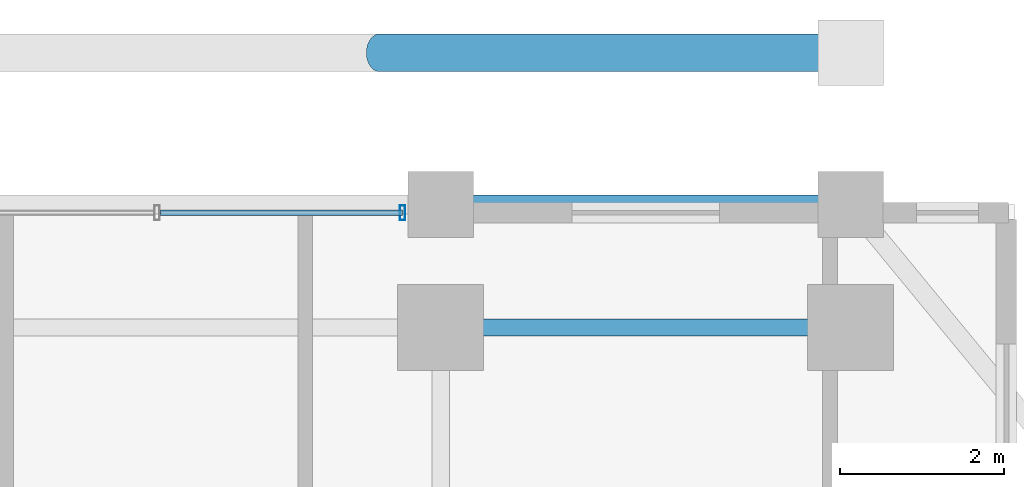
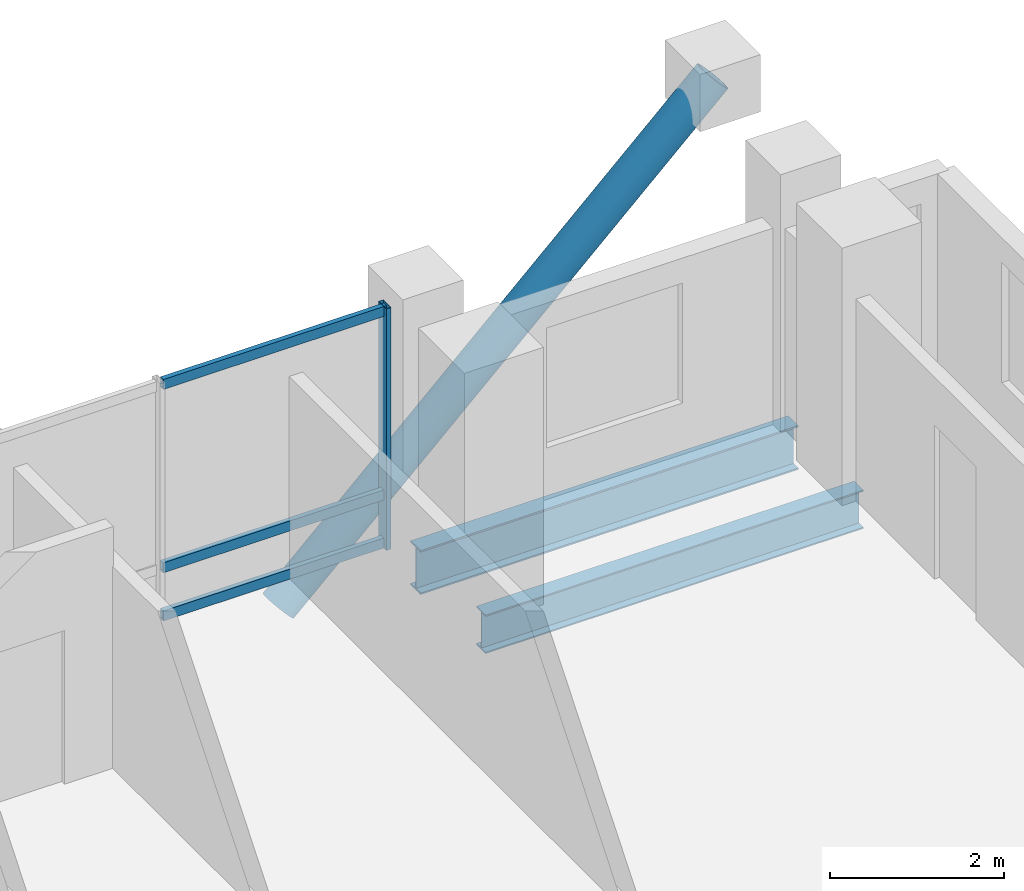
# One storey, part 16 of 23: 5 members, 2 beams, 1 element without a shape of its own.
"""IFC4 building model written with IfcOpenShell, lengths in metres."""

from ifc_helpers import new_model, si_unit, direction, frame, origin, origin_2d, place, context, subcontext, project, spatial, hollow_rectangle, hollow_circle, i_section, extrude, material, layer, layer_set, material_profile, profile_set, type_object, element, aggregate, save


model = new_model("IFC4")

# Units and contexts
model_context = context("Model", 3, precision=1e-05, world=origin(), true_north=direction((0.0, 1.0)))
body_context = subcontext(model_context, "Body", "Model", "MODEL_VIEW")
ifc_project = project(units=[si_unit("LENGTHUNIT", "METRE"), si_unit("AREAUNIT", "SQUARE_METRE"), si_unit("VOLUMEUNIT", "CUBIC_METRE"), si_unit("PLANEANGLEUNIT", "RADIAN"), si_unit("MASSUNIT", "GRAM", prefix="KILO")], contexts=[model_context])

# Site, building, storey
site_placement = place(None, origin())
site = spatial("IfcSite", under=ifc_project, at=site_placement, CompositionType="ELEMENT")
building_placement = place(site_placement, origin())
building = spatial("IfcBuilding", under=site, at=building_placement, Name="Barlavira Tower and Art Museum", CompositionType="ELEMENT")
storey_placement = place(building_placement, frame((0.0, 0.0, 205.199951171875)))
storey = spatial("IfcBuildingStorey", under=building, at=storey_placement, Name="L53", CompositionType="ELEMENT", Elevation=205.199951171875)

# Curtain wall, members
ifc_material_1 = material(Name="Low-iron coastal laminated glass", Category="glass")
ifc_layer = layer(ifc_material_1, 0.199951171875, Name="Low-iron coastal laminated glass")
ifc_layer_set = layer_set([ifc_layer], Name="Low-iron coastal laminated glass")
curtain_wall_type = type_object("IfcCurtainWallType", Name="Pale-Metal Unitised Curtain Wall Zone 3", PredefinedType="NOTDEFINED", material=ifc_layer_set)
curtain_wall_placement = place(storey_placement, origin())
curtain_wall = element("IfcCurtainWall", 1, at=curtain_wall_placement, inside=storey, type_object=curtain_wall_type, Name="L53 Curtain Wall CW3-L53-N-B3", PredefinedType="NOTDEFINED")
ifc_material_2 = material(Name="Pale anodised aluminium", Category="aluminium")
ifc_material_profile_1 = material_profile(ifc_material_2, hollow_rectangle(XDim=0.06494140625, YDim=0.179931640625, WallThickness=0.00390625, at=origin_2d()), Name="ALU-MULL 65x180x4")
ifc_profile_set_1 = profile_set([ifc_material_profile_1], Name="Pale anodised aluminium")
member_type_1 = type_object("IfcMemberType", Name="Curtain Wall Pale-Metal Mullion 65x180", PredefinedType="MULLION", material=ifc_profile_set_1)
member_1_placement = place(storey_placement, frame((6.034912109375, 21.39990234375, 0.0), z_axis=(0.0, 0.0, 1.0), x_axis=(-1.0, 0.0, 0.0)))
member_1 = element("IfcMember", 2, at=member_1_placement, type_object=member_type_1, Name="CW3-L53-N-B3 Mullion 0", PredefinedType="MULLION", context=body_context, shape_type="SweptSolid", body=[
    extrude(hollow_rectangle(XDim=0.06494140625, YDim=0.179931640625, WallThickness=0.00390625, at=origin_2d()), origin(), (0.0, 0.0, 1.0), 3.380126953125),
])
ifc_material_profile_2 = material_profile(ifc_material_2, hollow_rectangle(XDim=0.06494140625, YDim=0.139892578125, WallThickness=0.00390625, at=origin_2d()), Name="ALU-TRAN 65x140x4")
ifc_profile_set_2 = profile_set([ifc_material_profile_2], Name="Pale anodised aluminium")
member_type_2 = type_object("IfcMemberType", Name="Curtain Wall Pale-Metal Transom 65x140", PredefinedType="USERDEFINED", material=ifc_profile_set_2)
member_2_placement = place(storey_placement, frame((6.034912109375, 21.39990234375, 0.070068359375), z_axis=(-1.0, 0.0, 0.0), x_axis=(0.0, -1.0, 0.0)))
member_2 = element("IfcMember", 3, at=member_2_placement, type_object=member_type_2, Name="CW3-L53-N-B3 Transom 0.1", ObjectType="TRANSOM", PredefinedType="USERDEFINED", context=body_context, shape_type="SweptSolid", body=[
    extrude(hollow_rectangle(XDim=0.06494140625, YDim=0.139892578125, WallThickness=0.00390625, at=origin_2d()), origin(), (0.0, 0.0, 1.0), 2.949951171875),
])
member_3_placement = place(storey_placement, frame((6.034912109375, 21.39990234375, 0.744140625), z_axis=(-1.0, 0.0, 0.0), x_axis=(0.0, -1.0, 0.0)))
member_3 = element("IfcMember", 4, at=member_3_placement, type_object=member_type_2, Name="CW3-L53-N-B3 Transom 0.2", ObjectType="TRANSOM", PredefinedType="USERDEFINED", context=body_context, shape_type="SweptSolid", body=[
    extrude(hollow_rectangle(XDim=0.06494140625, YDim=0.139892578125, WallThickness=0.00390625, at=origin_2d()), origin(), (0.0, 0.0, 1.0), 2.949951171875),
])
member_4_placement = place(storey_placement, frame((6.034912109375, 21.39990234375, 3.31005859375), z_axis=(-1.0, 0.0, 0.0), x_axis=(0.0, -1.0, 0.0)))
member_4 = element("IfcMember", 5, at=member_4_placement, type_object=member_type_2, Name="CW3-L53-N-B3 Transom 0.3", ObjectType="TRANSOM", PredefinedType="USERDEFINED", context=body_context, shape_type="SweptSolid", body=[
    extrude(hollow_rectangle(XDim=0.06494140625, YDim=0.139892578125, WallThickness=0.00390625, at=origin_2d()), origin(), (0.0, 0.0, 1.0), 2.949951171875),
])
aggregate(curtain_wall, [member_1, member_2, member_3, member_4])

# Member
ifc_material_3 = material(Name="Steel S355", Category="steel")
ifc_material_profile_3 = material_profile(ifc_material_3, hollow_circle(Radius=0.228515625, WallThickness=0.02001953125, at=origin_2d()), Name="CHS 457.0x20.0")
ifc_profile_set_3 = profile_set([ifc_material_profile_3], Name="Steel S355")
member_type_3 = type_object("IfcMemberType", Name="Pale-Metal Exoskeleton Diagrid Tube CHS 457x20 Steel S355", PredefinedType="BRACE", material=ifc_profile_set_3)
member_5_placement = place(storey_placement, frame((5.75, 23.35009765625, -1.919921875), z_axis=(0.728950095515, 0.0, 0.684566839869), x_axis=(0.0, 1.0, 0.0)))
element("IfcMember", 6, at=member_5_placement, inside=storey, type_object=member_type_3, Name="L53 Exoskeleton Diagrid Tube N", PredefinedType="BRACE", context=body_context, shape_type="SweptSolid", body=[
    extrude(hollow_circle(Radius=0.228515625, WallThickness=0.02001953125, at=origin_2d()), origin(), (0.0, 0.0, 1.0), 7.887939453125),
])

# Beams
ifc_material_profile_4 = material_profile(ifc_material_3, i_section(OverallWidth=0.22998046875, OverallDepth=0.616943359375, WebThickness=0.01318359375, FlangeThickness=0.022216796875, at=origin_2d()), Name="W610x140.0")
ifc_profile_set_4 = profile_set([ifc_material_profile_4], Name="Steel S355")
beam_type_1 = type_object("IfcBeamType", Name="Upper Shaft Spandrel Edge Beam W610x140 Steel S355", PredefinedType="SPANDREL", material=ifc_profile_set_4)
beam_1_placement = place(storey_placement, frame((6.5, 21.5, -0.528564453125), z_axis=(1.0, 0.0, 0.0), x_axis=(0.0, 1.0, 0.0)))
element("IfcBeam", 7, at=beam_1_placement, inside=storey, type_object=beam_type_1, Name="L53 Spandrel 9", PredefinedType="SPANDREL", context=body_context, shape_type="SweptSolid", body=[
    extrude(i_section(OverallWidth=0.22998046875, OverallDepth=0.616943359375, WebThickness=0.01318359375, FlangeThickness=0.022216796875, at=origin_2d()), origin(), (0.0, 0.0, 1.0), 5.0),
])
ifc_material_profile_5 = material_profile(ifc_material_3, i_section(OverallWidth=0.2109375, OverallDepth=0.5390625, WebThickness=0.01171875, FlangeThickness=0.018798828125, at=origin_2d()), Name="W530x109.0")
ifc_profile_set_5 = profile_set([ifc_material_profile_5], Name="Steel S355")
beam_type_2 = type_object("IfcBeamType", Name="Zone 3-4 Primary Floor Girder W530x109 Steel S355", PredefinedType="BEAM", material=ifc_profile_set_5)
beam_2_placement = place(storey_placement, frame((6.5, 20.0, -0.489501953125), z_axis=(1.0, 0.0, 0.0), x_axis=(0.0, 1.0, 0.0)))
element("IfcBeam", 8, at=beam_2_placement, inside=storey, type_object=beam_type_2, Name="L53 Girder M-N3", PredefinedType="BEAM", context=body_context, shape_type="SweptSolid", body=[
    extrude(i_section(OverallWidth=0.2109375, OverallDepth=0.5390625, WebThickness=0.01171875, FlangeThickness=0.018798828125, at=origin_2d()), origin(), (0.0, 0.0, 1.0), 5.0),
])

save(model, "model.ifc")
